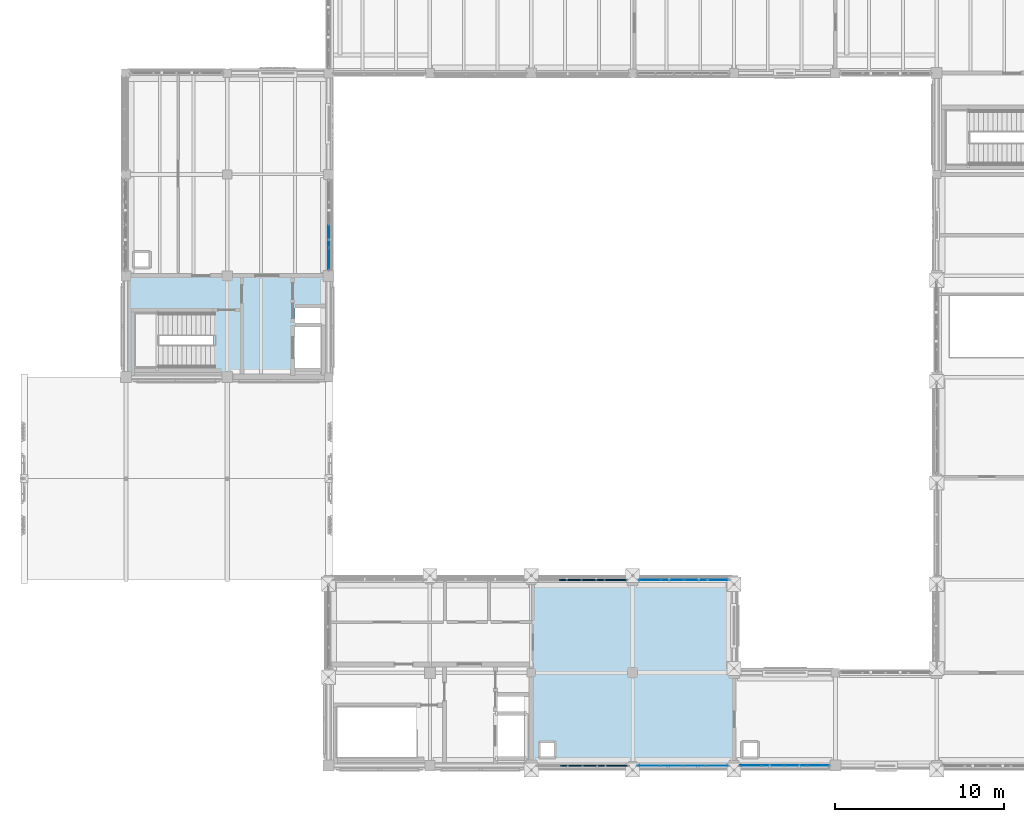
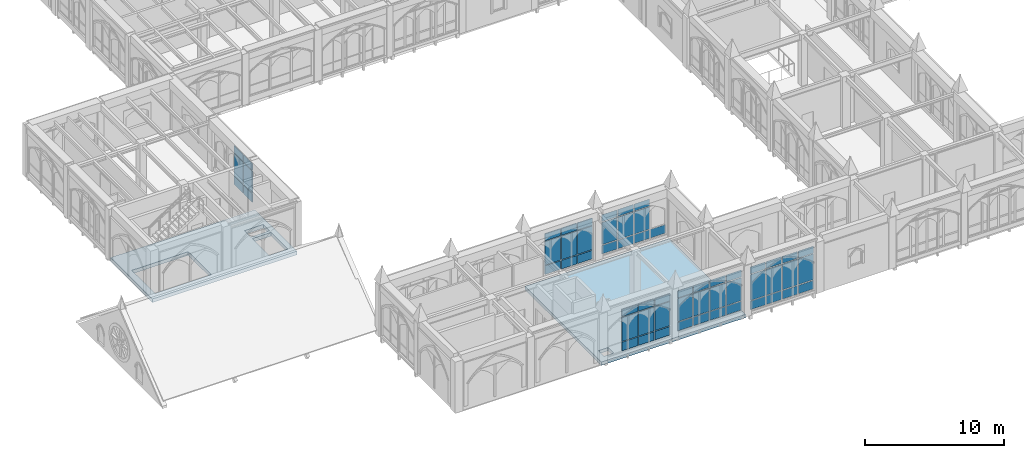
# One storey, part 85 of 143: 58 plates, 2 slabs, 6 elements without a shape of their own.
"""IFC4 building model written with IfcOpenShell, lengths in metres."""

from ifc_helpers import new_model, si_unit, direction, frame, origin, origin_2d, place, context, subcontext, project, spatial, polyline, rectangle, outline, extrude, material, layer, layer_set, type_object, element, aggregate, save


model = new_model("IFC4")

# Units and contexts
model_context = context("Model", 3, precision=1e-05, world=origin(), true_north=direction((0.0, 1.0)))
body_context = subcontext(model_context, "Body", "Model", "MODEL_VIEW")
ifc_project = project(units=[si_unit("LENGTHUNIT", "METRE"), si_unit("AREAUNIT", "SQUARE_METRE"), si_unit("VOLUMEUNIT", "CUBIC_METRE"), si_unit("PLANEANGLEUNIT", "RADIAN"), si_unit("MASSUNIT", "GRAM", prefix="KILO")], contexts=[model_context])

# Site, building, storey
site_placement = place(None, origin())
site = spatial("IfcSite", under=ifc_project, at=site_placement, CompositionType="ELEMENT")
building_placement = place(site_placement, origin())
building = spatial("IfcBuilding", under=site, at=building_placement, Name="Cumevento Cable Car Station", CompositionType="ELEMENT")
storey_placement = place(building_placement, frame((0.0, 0.0, 9.0)))
storey = spatial("IfcBuildingStorey", under=building, at=storey_placement, Name="L03", CompositionType="ELEMENT", Elevation=9.0)

# Slabs
ifc_material_1 = material(Name="Concrete C40/50", Category="concrete")
ifc_layer_1 = layer(ifc_material_1, 0.283935546875)
ifc_layer_set_1 = layer_set([ifc_layer_1], Name="Concrete C40/50")
slab_type_1 = type_object("IfcSlabType", Name="Concrete Deck FS-284 284", PredefinedType="FLOOR", material=ifc_layer_set_1)
slab_1_placement = place(storey_placement, frame((0.0, 0.0, -0.283935546875)))
element("IfcSlab", 1, at=slab_1_placement, inside=storey, type_object=slab_type_1, Name="Floor Slab FS-284 L03 B_V1a.2", PredefinedType="FLOOR", context=body_context, shape_type="SweptSolid", body=[
    extrude(outline(polyline([(34.0, 4.0), (46.0, 4.0), (46.0, 15.0), (34.0, 15.0), (34.0, 4.0)]), holes=[polyline([(34.550048828125, 4.550048828125), (35.35009765625, 4.550048828125), (35.35009765625, 5.35009765625), (34.550048828125, 5.35009765625), (34.550048828125, 4.550048828125)])]), origin(), (0.0, 0.0, 1.0), 0.283935546875),
])
ifc_material_2 = material(Name="Concrete C40/50", Category="concrete")
ifc_layer_2 = layer(ifc_material_2, 0.31494140625)
ifc_layer_set_2 = layer_set([ifc_layer_2], Name="Concrete C40/50")
slab_type_2 = type_object("IfcSlabType", Name="Concrete Deck FS-315 315", PredefinedType="FLOOR", material=ifc_layer_set_2)
slab_2_placement = place(storey_placement, frame((0.0, 0.0, -0.31494140625)))
element("IfcSlab", 2, at=slab_2_placement, inside=storey, type_object=slab_type_2, Name="Floor Slab FS-315 L03 B_V6b_core.1", PredefinedType="FLOOR", context=body_context, shape_type="SweptSolid", body=[
    extrude(outline(polyline([(10.0, 27.0), (22.0, 27.0), (22.0, 33.0), (10.0, 33.0), (10.0, 27.0)]), holes=[polyline([(20.010009765625, 27.5400390625), (21.580078125, 27.5400390625), (21.580078125, 29.9599609375), (20.010009765625, 29.9599609375), (20.010009765625, 27.5400390625)]), polyline([(10.52001953125, 27.52001953125), (15.199951171875, 27.52001953125), (15.199951171875, 30.85009765625), (10.52001953125, 30.85009765625), (10.52001953125, 27.52001953125)]), polyline([(20.010009765625, 30.199951171875), (21.580078125, 30.199951171875), (21.580078125, 31.10009765625), (20.010009765625, 31.10009765625), (20.010009765625, 30.199951171875)])]), origin(), (0.0, 0.0, 1.0), 0.31494140625),
])

# Curtain wall, plates
ifc_material_3 = material(Name="Anodised Bronze Aluminium AW-6063-T6", Category="aluminium")
ifc_layer_3 = layer(ifc_material_3, 0.196044921875)
ifc_layer_set_3 = layer_set([ifc_layer_3], Name="Anodised Bronze Aluminium AW-6063-T6")
curtain_wall_type_1 = type_object("IfcCurtainWallType", Name="Lancet Curtain Wall CW-07 1290", PredefinedType="NOTDEFINED", material=ifc_layer_set_3)
curtain_wall_1_placement = place(storey_placement, origin())
curtain_wall_1 = element("IfcCurtainWall", 3, at=curtain_wall_1_placement, inside=storey, type_object=curtain_wall_type_1, Name="Lancet Curtain Wall CW-07 L03 #70", PredefinedType="NOTDEFINED")
ifc_material_4 = material(Name="Solar Control Laminated Double Glazing", Category="glass")
ifc_layer_4 = layer(ifc_material_4, 0.02197265625)
ifc_layer_set_4 = layer_set([ifc_layer_4], Name="Solar Control Laminated Double Glazing")
plate_type_1 = type_object("IfcPlateType", Name="Glazed Panel CWP-01 22", PredefinedType="CURTAIN_PANEL", material=ifc_layer_set_4)
plate_1_placement = place(storey_placement, frame((45.00244140625, 4.0, 0.525146484375), z_axis=(0.0, 0.0, 1.0), x_axis=(-1.0, 0.0, 0.0)))
plate_1 = element("IfcPlate", 4, at=plate_1_placement, type_object=plate_type_1, Name="CW-07 panel 1.1", PredefinedType="CURTAIN_PANEL", context=body_context, shape_type="SweptSolid", body=[
    extrude(rectangle(XDim=1.264892578125, YDim=0.02197265625, at=origin_2d()), origin(), (0.0, 0.0, 1.0), 0.75244140625),
])
plate_2_placement = place(storey_placement, frame((45.00244140625, 4.0, 1.342529296875), z_axis=(0.0, 0.0, 1.0), x_axis=(-1.0, 0.0, 0.0)))
plate_2 = element("IfcPlate", 5, at=plate_2_placement, type_object=plate_type_1, Name="CW-07 panel 1.2", PredefinedType="CURTAIN_PANEL", context=body_context, shape_type="SweptSolid", body=[
    extrude(rectangle(XDim=1.264892578125, YDim=0.02197265625, at=origin_2d()), origin(), (0.0, 0.0, 1.0), 2.01806640625),
])
plate_3_placement = place(storey_placement, frame((45.00244140625, 4.0, 3.425537109375), z_axis=(0.0, 0.0, 1.0), x_axis=(-1.0, 0.0, 0.0)))
plate_3 = element("IfcPlate", 6, at=plate_3_placement, type_object=plate_type_1, Name="CW-07 panel 1.3", PredefinedType="CURTAIN_PANEL", context=body_context, shape_type="SweptSolid", body=[
    extrude(rectangle(XDim=1.264892578125, YDim=0.02197265625, at=origin_2d()), origin(), (0.0, 0.0, 1.0), 0.6025390625),
])
plate_4_placement = place(storey_placement, frame((43.65625, 4.0, 0.525146484375), z_axis=(0.0, 0.0, 1.0), x_axis=(-1.0, 0.0, 0.0)))
plate_4 = element("IfcPlate", 7, at=plate_4_placement, type_object=plate_type_1, Name="CW-07 panel 2.1", PredefinedType="CURTAIN_PANEL", context=body_context, shape_type="SweptSolid", body=[
    extrude(rectangle(XDim=1.297607421875, YDim=0.02197265625, at=origin_2d()), origin(), (0.0, 0.0, 1.0), 0.75244140625),
])
plate_5_placement = place(storey_placement, frame((43.65625, 4.0, 1.342529296875), z_axis=(0.0, 0.0, 1.0), x_axis=(-1.0, 0.0, 0.0)))
plate_5 = element("IfcPlate", 8, at=plate_5_placement, type_object=plate_type_1, Name="CW-07 panel 2.2", PredefinedType="CURTAIN_PANEL", context=body_context, shape_type="SweptSolid", body=[
    extrude(rectangle(XDim=1.297607421875, YDim=0.02197265625, at=origin_2d()), origin(), (0.0, 0.0, 1.0), 2.01806640625),
])
plate_6_placement = place(storey_placement, frame((43.65625, 4.0, 3.425537109375), z_axis=(0.0, 0.0, 1.0), x_axis=(-1.0, 0.0, 0.0)))
plate_6 = element("IfcPlate", 9, at=plate_6_placement, type_object=plate_type_1, Name="CW-07 panel 2.3", PredefinedType="CURTAIN_PANEL", context=body_context, shape_type="SweptSolid", body=[
    extrude(rectangle(XDim=1.297607421875, YDim=0.02197265625, at=origin_2d()), origin(), (0.0, 0.0, 1.0), 0.6025390625),
])
plate_7_placement = place(storey_placement, frame((42.293701171875, 4.0, 0.525146484375), z_axis=(0.0, 0.0, 1.0), x_axis=(-1.0, 0.0, 0.0)))
plate_7 = element("IfcPlate", 10, at=plate_7_placement, type_object=plate_type_1, Name="CW-07 panel 3.1", PredefinedType="CURTAIN_PANEL", context=body_context, shape_type="SweptSolid", body=[
    extrude(rectangle(XDim=1.297607421875, YDim=0.02197265625, at=origin_2d()), origin(), (0.0, 0.0, 1.0), 0.75244140625),
])
plate_8_placement = place(storey_placement, frame((42.293701171875, 4.0, 1.342529296875), z_axis=(0.0, 0.0, 1.0), x_axis=(-1.0, 0.0, 0.0)))
plate_8 = element("IfcPlate", 11, at=plate_8_placement, type_object=plate_type_1, Name="CW-07 panel 3.2", PredefinedType="CURTAIN_PANEL", context=body_context, shape_type="SweptSolid", body=[
    extrude(rectangle(XDim=1.297607421875, YDim=0.02197265625, at=origin_2d()), origin(), (0.0, 0.0, 1.0), 2.01806640625),
])
plate_9_placement = place(storey_placement, frame((42.293701171875, 4.0, 3.425537109375), z_axis=(0.0, 0.0, 1.0), x_axis=(-1.0, 0.0, 0.0)))
plate_9 = element("IfcPlate", 12, at=plate_9_placement, type_object=plate_type_1, Name="CW-07 panel 3.3", PredefinedType="CURTAIN_PANEL", context=body_context, shape_type="SweptSolid", body=[
    extrude(rectangle(XDim=1.297607421875, YDim=0.02197265625, at=origin_2d()), origin(), (0.0, 0.0, 1.0), 0.6025390625),
])
plate_10_placement = place(storey_placement, frame((40.947509765625, 4.0, 0.525146484375), z_axis=(0.0, 0.0, 1.0), x_axis=(-1.0, 0.0, 0.0)))
plate_10 = element("IfcPlate", 13, at=plate_10_placement, type_object=plate_type_1, Name="CW-07 panel 4.1", PredefinedType="CURTAIN_PANEL", context=body_context, shape_type="SweptSolid", body=[
    extrude(rectangle(XDim=1.264892578125, YDim=0.02197265625, at=origin_2d()), origin(), (0.0, 0.0, 1.0), 0.75244140625),
])
plate_11_placement = place(storey_placement, frame((40.947509765625, 4.0, 1.342529296875), z_axis=(0.0, 0.0, 1.0), x_axis=(-1.0, 0.0, 0.0)))
plate_11 = element("IfcPlate", 14, at=plate_11_placement, type_object=plate_type_1, Name="CW-07 panel 4.2", PredefinedType="CURTAIN_PANEL", context=body_context, shape_type="SweptSolid", body=[
    extrude(rectangle(XDim=1.264892578125, YDim=0.02197265625, at=origin_2d()), origin(), (0.0, 0.0, 1.0), 2.01806640625),
])
plate_12_placement = place(storey_placement, frame((40.947509765625, 4.0, 3.425537109375), z_axis=(0.0, 0.0, 1.0), x_axis=(-1.0, 0.0, 0.0)))
plate_12 = element("IfcPlate", 15, at=plate_12_placement, type_object=plate_type_1, Name="CW-07 panel 4.3", PredefinedType="CURTAIN_PANEL", context=body_context, shape_type="SweptSolid", body=[
    extrude(rectangle(XDim=1.264892578125, YDim=0.02197265625, at=origin_2d()), origin(), (0.0, 0.0, 1.0), 0.6025390625),
])
aggregate(curtain_wall_1, [plate_1, plate_2, plate_3, plate_4, plate_5, plate_6, plate_7, plate_8, plate_9, plate_10, plate_11, plate_12])

ifc_material_5 = material(Name="Anodised Bronze Aluminium AW-6063-T6", Category="aluminium")
ifc_layer_5 = layer(ifc_material_5, 0.201904296875)
ifc_layer_set_5 = layer_set([ifc_layer_5], Name="Anodised Bronze Aluminium AW-6063-T6")
curtain_wall_type_2 = type_object("IfcCurtainWallType", Name="Lancet Curtain Wall CW-08 1330", PredefinedType="NOTDEFINED", material=ifc_layer_set_5)
curtain_wall_2_placement = place(storey_placement, origin())
curtain_wall_2 = element("IfcCurtainWall", 16, at=curtain_wall_2_placement, inside=storey, type_object=curtain_wall_type_2, Name="Lancet Curtain Wall CW-08 L03 #71", PredefinedType="NOTDEFINED")
ifc_material_6 = material(Name="Solar Control Laminated Double Glazing", Category="glass")
ifc_layer_6 = layer(ifc_material_6, 0.02587890625)
ifc_layer_set_6 = layer_set([ifc_layer_6], Name="Solar Control Laminated Double Glazing")
plate_type_2 = type_object("IfcPlateType", Name="Glazed Panel CWP-02 26", PredefinedType="CURTAIN_PANEL", material=ifc_layer_set_6)
plate_13_placement = place(storey_placement, frame((41.019287109375, 15.0, 0.5849609375), z_axis=(0.0, 0.0, 1.0), x_axis=(1.0, 0.0, 0.0)))
plate_13 = element("IfcPlate", 17, at=plate_13_placement, type_object=plate_type_2, Name="CW-08 panel 1.1", PredefinedType="CURTAIN_PANEL", context=body_context, shape_type="SweptSolid", body=[
    extrude(rectangle(XDim=1.2587890625, YDim=0.02587890625, at=origin_2d()), origin(), (0.0, 0.0, 1.0), 0.75244140625),
])
plate_14_placement = place(storey_placement, frame((41.019287109375, 15.0, 1.402587890625), z_axis=(0.0, 0.0, 1.0), x_axis=(1.0, 0.0, 0.0)))
plate_14 = element("IfcPlate", 18, at=plate_14_placement, type_object=plate_type_2, Name="CW-08 panel 1.2", PredefinedType="CURTAIN_PANEL", context=body_context, shape_type="SweptSolid", body=[
    extrude(rectangle(XDim=1.2587890625, YDim=0.02587890625, at=origin_2d()), origin(), (0.0, 0.0, 1.0), 1.9580078125),
])
plate_15_placement = place(storey_placement, frame((41.019287109375, 15.0, 3.425537109375), z_axis=(0.0, 0.0, 1.0), x_axis=(1.0, 0.0, 0.0)))
plate_15 = element("IfcPlate", 19, at=plate_15_placement, type_object=plate_type_2, Name="CW-08 panel 1.3", PredefinedType="CURTAIN_PANEL", context=body_context, shape_type="SweptSolid", body=[
    extrude(rectangle(XDim=1.2587890625, YDim=0.02587890625, at=origin_2d()), origin(), (0.0, 0.0, 1.0), 0.6025390625),
])
plate_16_placement = place(storey_placement, frame((42.359375, 15.0, 0.5849609375), z_axis=(0.0, 0.0, 1.0), x_axis=(1.0, 0.0, 0.0)))
plate_16 = element("IfcPlate", 20, at=plate_16_placement, type_object=plate_type_2, Name="CW-08 panel 2.1", PredefinedType="CURTAIN_PANEL", context=body_context, shape_type="SweptSolid", body=[
    extrude(rectangle(XDim=1.291259765625, YDim=0.02587890625, at=origin_2d()), origin(), (0.0, 0.0, 1.0), 0.75244140625),
])
plate_17_placement = place(storey_placement, frame((42.359375, 15.0, 1.402587890625), z_axis=(0.0, 0.0, 1.0), x_axis=(1.0, 0.0, 0.0)))
plate_17 = element("IfcPlate", 21, at=plate_17_placement, type_object=plate_type_2, Name="CW-08 panel 2.2", PredefinedType="CURTAIN_PANEL", context=body_context, shape_type="SweptSolid", body=[
    extrude(rectangle(XDim=1.291259765625, YDim=0.02587890625, at=origin_2d()), origin(), (0.0, 0.0, 1.0), 1.9580078125),
])
plate_18_placement = place(storey_placement, frame((42.359375, 15.0, 3.425537109375), z_axis=(0.0, 0.0, 1.0), x_axis=(1.0, 0.0, 0.0)))
plate_18 = element("IfcPlate", 22, at=plate_18_placement, type_object=plate_type_2, Name="CW-08 panel 2.3", PredefinedType="CURTAIN_PANEL", context=body_context, shape_type="SweptSolid", body=[
    extrude(rectangle(XDim=1.291259765625, YDim=0.02587890625, at=origin_2d()), origin(), (0.0, 0.0, 1.0), 0.6025390625),
])
plate_19_placement = place(storey_placement, frame((43.715576171875, 15.0, 0.5849609375), z_axis=(0.0, 0.0, 1.0), x_axis=(1.0, 0.0, 0.0)))
plate_19 = element("IfcPlate", 23, at=plate_19_placement, type_object=plate_type_2, Name="CW-08 panel 3.1", PredefinedType="CURTAIN_PANEL", context=body_context, shape_type="SweptSolid", body=[
    extrude(rectangle(XDim=1.291259765625, YDim=0.02587890625, at=origin_2d()), origin(), (0.0, 0.0, 1.0), 0.75244140625),
])
plate_20_placement = place(storey_placement, frame((43.715576171875, 15.0, 1.402587890625), z_axis=(0.0, 0.0, 1.0), x_axis=(1.0, 0.0, 0.0)))
plate_20 = element("IfcPlate", 24, at=plate_20_placement, type_object=plate_type_2, Name="CW-08 panel 3.2", PredefinedType="CURTAIN_PANEL", context=body_context, shape_type="SweptSolid", body=[
    extrude(rectangle(XDim=1.291259765625, YDim=0.02587890625, at=origin_2d()), origin(), (0.0, 0.0, 1.0), 1.9580078125),
])
plate_21_placement = place(storey_placement, frame((43.715576171875, 15.0, 3.425537109375), z_axis=(0.0, 0.0, 1.0), x_axis=(1.0, 0.0, 0.0)))
plate_21 = element("IfcPlate", 25, at=plate_21_placement, type_object=plate_type_2, Name="CW-08 panel 3.3", PredefinedType="CURTAIN_PANEL", context=body_context, shape_type="SweptSolid", body=[
    extrude(rectangle(XDim=1.291259765625, YDim=0.02587890625, at=origin_2d()), origin(), (0.0, 0.0, 1.0), 0.6025390625),
])
plate_22_placement = place(storey_placement, frame((45.0556640625, 15.0, 0.5849609375), z_axis=(0.0, 0.0, 1.0), x_axis=(1.0, 0.0, 0.0)))
plate_22 = element("IfcPlate", 26, at=plate_22_placement, type_object=plate_type_2, Name="CW-08 panel 4.1", PredefinedType="CURTAIN_PANEL", context=body_context, shape_type="SweptSolid", body=[
    extrude(rectangle(XDim=1.2587890625, YDim=0.02587890625, at=origin_2d()), origin(), (0.0, 0.0, 1.0), 0.75244140625),
])
aggregate(curtain_wall_2, [plate_13, plate_14, plate_15, plate_16, plate_17, plate_18, plate_19, plate_20, plate_21, plate_22])

ifc_material_7 = material(Name="Anodised Bronze Aluminium AW-6063-T6", Category="aluminium")
ifc_layer_7 = layer(ifc_material_7, 0.214111328125)
ifc_layer_set_7 = layer_set([ifc_layer_7], Name="Anodised Bronze Aluminium AW-6063-T6")
curtain_wall_type_3 = type_object("IfcCurtainWallType", Name="Lancet Curtain Wall CW-10 1410", PredefinedType="NOTDEFINED", material=ifc_layer_set_7)
curtain_wall_3_placement = place(storey_placement, origin())
curtain_wall_3 = element("IfcCurtainWall", 27, at=curtain_wall_3_placement, inside=storey, type_object=curtain_wall_type_3, Name="Lancet Curtain Wall CW-10 L03 #73", PredefinedType="NOTDEFINED")
ifc_material_8 = material(Name="Solar Control Laminated Double Glazing", Category="glass")
ifc_layer_8 = layer(ifc_material_8, 0.033935546875)
ifc_layer_set_8 = layer_set([ifc_layer_8], Name="Solar Control Laminated Double Glazing")
plate_type_3 = type_object("IfcPlateType", Name="Glazed Panel CWP-04 34", PredefinedType="CURTAIN_PANEL", material=ifc_layer_set_8)
plate_23_placement = place(storey_placement, frame((50.98681640625, 4.0, 0.275146484375), z_axis=(0.0, 0.0, 1.0), x_axis=(-1.0, 0.0, 0.0)))
plate_23 = element("IfcPlate", 28, at=plate_23_placement, type_object=plate_type_3, Name="CW-10 panel 1.1", PredefinedType="CURTAIN_PANEL", context=body_context, shape_type="SweptSolid", body=[
    extrude(rectangle(XDim=1.246337890625, YDim=0.033935546875, at=origin_2d()), origin(), (0.0, 0.0, 1.0), 0.75244140625),
])
plate_24_placement = place(storey_placement, frame((50.98681640625, 4.0, 1.092529296875), z_axis=(0.0, 0.0, 1.0), x_axis=(-1.0, 0.0, 0.0)))
plate_24 = element("IfcPlate", 29, at=plate_24_placement, type_object=plate_type_3, Name="CW-10 panel 1.2", PredefinedType="CURTAIN_PANEL", context=body_context, shape_type="SweptSolid", body=[
    extrude(rectangle(XDim=1.246337890625, YDim=0.033935546875, at=origin_2d()), origin(), (0.0, 0.0, 1.0), 2.26806640625),
])
plate_25_placement = place(storey_placement, frame((50.98681640625, 4.0, 3.425537109375), z_axis=(0.0, 0.0, 1.0), x_axis=(-1.0, 0.0, 0.0)))
plate_25 = element("IfcPlate", 30, at=plate_25_placement, type_object=plate_type_3, Name="CW-10 panel 1.3", PredefinedType="CURTAIN_PANEL", context=body_context, shape_type="SweptSolid", body=[
    extrude(rectangle(XDim=1.246337890625, YDim=0.033935546875, at=origin_2d()), origin(), (0.0, 0.0, 1.0), 0.6025390625),
])
plate_26_placement = place(storey_placement, frame((49.659423828125, 4.0, 0.275146484375), z_axis=(0.0, 0.0, 1.0), x_axis=(-1.0, 0.0, 0.0)))
plate_26 = element("IfcPlate", 31, at=plate_26_placement, type_object=plate_type_3, Name="CW-10 panel 2.1", PredefinedType="CURTAIN_PANEL", context=body_context, shape_type="SweptSolid", body=[
    extrude(rectangle(XDim=1.27880859375, YDim=0.033935546875, at=origin_2d()), origin(), (0.0, 0.0, 1.0), 0.75244140625),
])
plate_27_placement = place(storey_placement, frame((49.659423828125, 4.0, 1.092529296875), z_axis=(0.0, 0.0, 1.0), x_axis=(-1.0, 0.0, 0.0)))
plate_27 = element("IfcPlate", 32, at=plate_27_placement, type_object=plate_type_3, Name="CW-10 panel 2.2", PredefinedType="CURTAIN_PANEL", context=body_context, shape_type="SweptSolid", body=[
    extrude(rectangle(XDim=1.27880859375, YDim=0.033935546875, at=origin_2d()), origin(), (0.0, 0.0, 1.0), 2.26806640625),
])
plate_28_placement = place(storey_placement, frame((49.659423828125, 4.0, 3.425537109375), z_axis=(0.0, 0.0, 1.0), x_axis=(-1.0, 0.0, 0.0)))
plate_28 = element("IfcPlate", 33, at=plate_28_placement, type_object=plate_type_3, Name="CW-10 panel 2.3", PredefinedType="CURTAIN_PANEL", context=body_context, shape_type="SweptSolid", body=[
    extrude(rectangle(XDim=1.27880859375, YDim=0.033935546875, at=origin_2d()), origin(), (0.0, 0.0, 1.0), 0.6025390625),
])
plate_29_placement = place(storey_placement, frame((48.315673828125, 4.0, 0.275146484375), z_axis=(0.0, 0.0, 1.0), x_axis=(-1.0, 0.0, 0.0)))
plate_29 = element("IfcPlate", 34, at=plate_29_placement, type_object=plate_type_3, Name="CW-10 panel 3.1", PredefinedType="CURTAIN_PANEL", context=body_context, shape_type="SweptSolid", body=[
    extrude(rectangle(XDim=1.27880859375, YDim=0.033935546875, at=origin_2d()), origin(), (0.0, 0.0, 1.0), 0.75244140625),
])
plate_30_placement = place(storey_placement, frame((48.315673828125, 4.0, 1.092529296875), z_axis=(0.0, 0.0, 1.0), x_axis=(-1.0, 0.0, 0.0)))
plate_30 = element("IfcPlate", 35, at=plate_30_placement, type_object=plate_type_3, Name="CW-10 panel 3.2", PredefinedType="CURTAIN_PANEL", context=body_context, shape_type="SweptSolid", body=[
    extrude(rectangle(XDim=1.27880859375, YDim=0.033935546875, at=origin_2d()), origin(), (0.0, 0.0, 1.0), 2.26806640625),
])
plate_31_placement = place(storey_placement, frame((48.315673828125, 4.0, 3.425537109375), z_axis=(0.0, 0.0, 1.0), x_axis=(-1.0, 0.0, 0.0)))
plate_31 = element("IfcPlate", 36, at=plate_31_placement, type_object=plate_type_3, Name="CW-10 panel 3.3", PredefinedType="CURTAIN_PANEL", context=body_context, shape_type="SweptSolid", body=[
    extrude(rectangle(XDim=1.27880859375, YDim=0.033935546875, at=origin_2d()), origin(), (0.0, 0.0, 1.0), 0.6025390625),
])
plate_32_placement = place(storey_placement, frame((46.988037109375, 4.0, 0.275146484375), z_axis=(0.0, 0.0, 1.0), x_axis=(-1.0, 0.0, 0.0)))
plate_32 = element("IfcPlate", 37, at=plate_32_placement, type_object=plate_type_3, Name="CW-10 panel 4.1", PredefinedType="CURTAIN_PANEL", context=body_context, shape_type="SweptSolid", body=[
    extrude(rectangle(XDim=1.246337890625, YDim=0.033935546875, at=origin_2d()), origin(), (0.0, 0.0, 1.0), 0.75244140625),
])
plate_33_placement = place(storey_placement, frame((46.988037109375, 4.0, 1.092529296875), z_axis=(0.0, 0.0, 1.0), x_axis=(-1.0, 0.0, 0.0)))
plate_33 = element("IfcPlate", 38, at=plate_33_placement, type_object=plate_type_3, Name="CW-10 panel 4.2", PredefinedType="CURTAIN_PANEL", context=body_context, shape_type="SweptSolid", body=[
    extrude(rectangle(XDim=1.246337890625, YDim=0.033935546875, at=origin_2d()), origin(), (0.0, 0.0, 1.0), 2.26806640625),
])
plate_34_placement = place(storey_placement, frame((46.988037109375, 4.0, 3.425537109375), z_axis=(0.0, 0.0, 1.0), x_axis=(-1.0, 0.0, 0.0)))
plate_34 = element("IfcPlate", 39, at=plate_34_placement, type_object=plate_type_3, Name="CW-10 panel 4.3", PredefinedType="CURTAIN_PANEL", context=body_context, shape_type="SweptSolid", body=[
    extrude(rectangle(XDim=1.246337890625, YDim=0.033935546875, at=origin_2d()), origin(), (0.0, 0.0, 1.0), 0.6025390625),
])
aggregate(curtain_wall_3, [plate_23, plate_24, plate_25, plate_26, plate_27, plate_28, plate_29, plate_30, plate_31, plate_32, plate_33, plate_34])

ifc_material_9 = material(Name="Anodised Bronze Aluminium AW-6063-T6", Category="aluminium")
ifc_layer_9 = layer(ifc_material_9, 0.23193359375)
ifc_layer_set_9 = layer_set([ifc_layer_9], Name="Anodised Bronze Aluminium AW-6063-T6")
curtain_wall_type_4 = type_object("IfcCurtainWallType", Name="Lancet Curtain Wall CW-13 1530", PredefinedType="NOTDEFINED", material=ifc_layer_set_9)
curtain_wall_4_placement = place(storey_placement, origin())
curtain_wall_4 = element("IfcCurtainWall", 40, at=curtain_wall_4_placement, inside=storey, type_object=curtain_wall_type_4, Name="Lancet Curtain Wall CW-13 L03 #92", PredefinedType="NOTDEFINED")
ifc_material_10 = material(Name="Insulated Bronze Aluminium Spandrel Panel", Category="aluminium")
ifc_layer_10 = layer(ifc_material_10, 0.054931640625)
ifc_layer_set_10 = layer_set([ifc_layer_10], Name="Insulated Bronze Aluminium Spandrel Panel")
plate_type_4 = type_object("IfcPlateType", Name="Spandrel Panel CWP-09 55", PredefinedType="CURTAIN_PANEL", material=ifc_layer_set_10)
plate_35_placement = place(storey_placement, frame((22.0, 35.340576171875, 0.425048828125), z_axis=(0.0, 0.0, 1.0), x_axis=(0.0, -1.0, 0.0)))
plate_35 = element("IfcPlate", 41, at=plate_35_placement, type_object=plate_type_4, Name="CW-13 panel 3.1", PredefinedType="CURTAIN_PANEL", context=body_context, shape_type="SweptSolid", body=[
    extrude(rectangle(XDim=1.27880859375, YDim=0.054931640625, at=origin_2d()), origin(), (0.0, 0.0, 1.0), 0.75244140625),
])
plate_36_placement = place(storey_placement, frame((22.0, 35.340576171875, 1.242431640625), z_axis=(0.0, 0.0, 1.0), x_axis=(0.0, -1.0, 0.0)))
plate_36 = element("IfcPlate", 42, at=plate_36_placement, type_object=plate_type_4, Name="CW-13 panel 3.2", PredefinedType="CURTAIN_PANEL", context=body_context, shape_type="SweptSolid", body=[
    extrude(rectangle(XDim=1.27880859375, YDim=0.054931640625, at=origin_2d()), origin(), (0.0, 0.0, 1.0), 1.91796875),
])
plate_37_placement = place(storey_placement, frame((22.0, 35.340576171875, 3.2255859375), z_axis=(0.0, 0.0, 1.0), x_axis=(0.0, -1.0, 0.0)))
plate_37 = element("IfcPlate", 43, at=plate_37_placement, type_object=plate_type_4, Name="CW-13 panel 3.3", PredefinedType="CURTAIN_PANEL", context=body_context, shape_type="SweptSolid", body=[
    extrude(rectangle(XDim=1.27880859375, YDim=0.054931640625, at=origin_2d()), origin(), (0.0, 0.0, 1.0), 0.6025390625),
])
plate_38_placement = place(storey_placement, frame((22.0, 34.01318359375, 0.425048828125), z_axis=(0.0, 0.0, 1.0), x_axis=(0.0, -1.0, 0.0)))
plate_38 = element("IfcPlate", 44, at=plate_38_placement, type_object=plate_type_4, Name="CW-13 panel 4.1", PredefinedType="CURTAIN_PANEL", context=body_context, shape_type="SweptSolid", body=[
    extrude(rectangle(XDim=1.246337890625, YDim=0.054931640625, at=origin_2d()), origin(), (0.0, 0.0, 1.0), 0.75244140625),
])
plate_39_placement = place(storey_placement, frame((22.0, 34.01318359375, 1.242431640625), z_axis=(0.0, 0.0, 1.0), x_axis=(0.0, -1.0, 0.0)))
plate_39 = element("IfcPlate", 45, at=plate_39_placement, type_object=plate_type_4, Name="CW-13 panel 4.2", PredefinedType="CURTAIN_PANEL", context=body_context, shape_type="SweptSolid", body=[
    extrude(rectangle(XDim=1.246337890625, YDim=0.054931640625, at=origin_2d()), origin(), (0.0, 0.0, 1.0), 1.91796875),
])
plate_40_placement = place(storey_placement, frame((22.0, 34.01318359375, 3.2255859375), z_axis=(0.0, 0.0, 1.0), x_axis=(0.0, -1.0, 0.0)))
plate_40 = element("IfcPlate", 46, at=plate_40_placement, type_object=plate_type_4, Name="CW-13 panel 4.3", PredefinedType="CURTAIN_PANEL", context=body_context, shape_type="SweptSolid", body=[
    extrude(rectangle(XDim=1.246337890625, YDim=0.054931640625, at=origin_2d()), origin(), (0.0, 0.0, 1.0), 0.6025390625),
])
aggregate(curtain_wall_4, [plate_35, plate_36, plate_37, plate_38, plate_39, plate_40])

ifc_material_11 = material(Name="Anodised Bronze Aluminium AW-6063-T6", Category="aluminium")
ifc_layer_11 = layer(ifc_material_11, 0.18408203125)
ifc_layer_set_11 = layer_set([ifc_layer_11], Name="Anodised Bronze Aluminium AW-6063-T6")
curtain_wall_type_5 = type_object("IfcCurtainWallType", Name="Lancet Curtain Wall CW-05 1210", PredefinedType="NOTDEFINED", material=ifc_layer_set_11)
curtain_wall_5_placement = place(storey_placement, origin())
curtain_wall_5 = element("IfcCurtainWall", 47, at=curtain_wall_5_placement, inside=storey, type_object=curtain_wall_type_5, Name="Lancet Curtain Wall CW-05 L03 #68", PredefinedType="NOTDEFINED")
ifc_material_12 = material(Name="Insulated Bronze Aluminium Spandrel Panel", Category="aluminium")
ifc_layer_12 = layer(ifc_material_12, 0.077880859375)
ifc_layer_set_12 = layer_set([ifc_layer_12], Name="Insulated Bronze Aluminium Spandrel Panel")
plate_type_5 = type_object("IfcPlateType", Name="Spandrel Panel CWP-13 78", PredefinedType="CURTAIN_PANEL", material=ifc_layer_set_12)
plate_41_placement = place(storey_placement, frame((39.0556640625, 4.0, 0.425048828125), z_axis=(0.0, 0.0, 1.0), x_axis=(-1.0, 0.0, 0.0)))
plate_41 = element("IfcPlate", 48, at=plate_41_placement, type_object=plate_type_5, Name="CW-05 panel 1.1", PredefinedType="CURTAIN_PANEL", context=body_context, shape_type="SweptSolid", body=[
    extrude(rectangle(XDim=1.2587890625, YDim=0.077880859375, at=origin_2d()), origin(), (0.0, 0.0, 1.0), 0.75244140625),
])
plate_42_placement = place(storey_placement, frame((39.0556640625, 4.0, 1.24267578125), z_axis=(0.0, 0.0, 1.0), x_axis=(-1.0, 0.0, 0.0)))
plate_42 = element("IfcPlate", 49, at=plate_42_placement, type_object=plate_type_5, Name="CW-05 panel 1.2", PredefinedType="CURTAIN_PANEL", context=body_context, shape_type="SweptSolid", body=[
    extrude(rectangle(XDim=1.2587890625, YDim=0.077880859375, at=origin_2d()), origin(), (0.0, 0.0, 1.0), 2.117919921875),
])
plate_43_placement = place(storey_placement, frame((39.0556640625, 4.0, 3.425537109375), z_axis=(0.0, 0.0, 1.0), x_axis=(-1.0, 0.0, 0.0)))
plate_43 = element("IfcPlate", 50, at=plate_43_placement, type_object=plate_type_5, Name="CW-05 panel 1.3", PredefinedType="CURTAIN_PANEL", context=body_context, shape_type="SweptSolid", body=[
    extrude(rectangle(XDim=1.2587890625, YDim=0.077880859375, at=origin_2d()), origin(), (0.0, 0.0, 1.0), 0.6025390625),
])
plate_44_placement = place(storey_placement, frame((37.715576171875, 4.0, 0.425048828125), z_axis=(0.0, 0.0, 1.0), x_axis=(-1.0, 0.0, 0.0)))
plate_44 = element("IfcPlate", 51, at=plate_44_placement, type_object=plate_type_5, Name="CW-05 panel 2.1", PredefinedType="CURTAIN_PANEL", context=body_context, shape_type="SweptSolid", body=[
    extrude(rectangle(XDim=1.291259765625, YDim=0.077880859375, at=origin_2d()), origin(), (0.0, 0.0, 1.0), 0.75244140625),
])
plate_45_placement = place(storey_placement, frame((37.715576171875, 4.0, 1.24267578125), z_axis=(0.0, 0.0, 1.0), x_axis=(-1.0, 0.0, 0.0)))
plate_45 = element("IfcPlate", 52, at=plate_45_placement, type_object=plate_type_5, Name="CW-05 panel 2.2", PredefinedType="CURTAIN_PANEL", context=body_context, shape_type="SweptSolid", body=[
    extrude(rectangle(XDim=1.291259765625, YDim=0.077880859375, at=origin_2d()), origin(), (0.0, 0.0, 1.0), 2.117919921875),
])
plate_46_placement = place(storey_placement, frame((37.715576171875, 4.0, 3.425537109375), z_axis=(0.0, 0.0, 1.0), x_axis=(-1.0, 0.0, 0.0)))
plate_46 = element("IfcPlate", 53, at=plate_46_placement, type_object=plate_type_5, Name="CW-05 panel 2.3", PredefinedType="CURTAIN_PANEL", context=body_context, shape_type="SweptSolid", body=[
    extrude(rectangle(XDim=1.291259765625, YDim=0.077880859375, at=origin_2d()), origin(), (0.0, 0.0, 1.0), 0.6025390625),
])
plate_47_placement = place(storey_placement, frame((36.359375, 4.0, 0.425048828125), z_axis=(0.0, 0.0, 1.0), x_axis=(-1.0, 0.0, 0.0)))
plate_47 = element("IfcPlate", 54, at=plate_47_placement, type_object=plate_type_5, Name="CW-05 panel 3.1", PredefinedType="CURTAIN_PANEL", context=body_context, shape_type="SweptSolid", body=[
    extrude(rectangle(XDim=1.291259765625, YDim=0.077880859375, at=origin_2d()), origin(), (0.0, 0.0, 1.0), 0.75244140625),
])
plate_48_placement = place(storey_placement, frame((36.359375, 4.0, 1.24267578125), z_axis=(0.0, 0.0, 1.0), x_axis=(-1.0, 0.0, 0.0)))
plate_48 = element("IfcPlate", 55, at=plate_48_placement, type_object=plate_type_5, Name="CW-05 panel 3.2", PredefinedType="CURTAIN_PANEL", context=body_context, shape_type="SweptSolid", body=[
    extrude(rectangle(XDim=1.291259765625, YDim=0.077880859375, at=origin_2d()), origin(), (0.0, 0.0, 1.0), 2.117919921875),
])
plate_49_placement = place(storey_placement, frame((36.359375, 4.0, 3.425537109375), z_axis=(0.0, 0.0, 1.0), x_axis=(-1.0, 0.0, 0.0)))
plate_49 = element("IfcPlate", 56, at=plate_49_placement, type_object=plate_type_5, Name="CW-05 panel 3.3", PredefinedType="CURTAIN_PANEL", context=body_context, shape_type="SweptSolid", body=[
    extrude(rectangle(XDim=1.291259765625, YDim=0.077880859375, at=origin_2d()), origin(), (0.0, 0.0, 1.0), 0.6025390625),
])
aggregate(curtain_wall_5, [plate_41, plate_42, plate_43, plate_44, plate_45, plate_46, plate_47, plate_48, plate_49])

ifc_material_13 = material(Name="Anodised Bronze Aluminium AW-6063-T6", Category="aluminium")
ifc_layer_13 = layer(ifc_material_13, 0.18994140625)
ifc_layer_set_13 = layer_set([ifc_layer_13], Name="Anodised Bronze Aluminium AW-6063-T6")
curtain_wall_type_6 = type_object("IfcCurtainWallType", Name="Lancet Curtain Wall CW-06 1250", PredefinedType="NOTDEFINED", material=ifc_layer_set_13)
curtain_wall_6_placement = place(storey_placement, origin())
curtain_wall_6 = element("IfcCurtainWall", 57, at=curtain_wall_6_placement, inside=storey, type_object=curtain_wall_type_6, Name="Lancet Curtain Wall CW-06 L03 #69", PredefinedType="NOTDEFINED")
ifc_material_14 = material(Name="Insulated Bronze Aluminium Spandrel Panel", Category="aluminium")
ifc_layer_14 = layer(ifc_material_14, 0.0849609375)
ifc_layer_set_14 = layer_set([ifc_layer_14], Name="Insulated Bronze Aluminium Spandrel Panel")
plate_type_6 = type_object("IfcPlateType", Name="Spandrel Panel CWP-14 85", PredefinedType="CURTAIN_PANEL", material=ifc_layer_set_14)
plate_50_placement = place(storey_placement, frame((36.300048828125, 15.0, 0.47509765625), z_axis=(0.0, 0.0, 1.0), x_axis=(1.0, 0.0, 0.0)))
plate_50 = element("IfcPlate", 58, at=plate_50_placement, type_object=plate_type_6, Name="CW-06 panel 2.1", PredefinedType="CURTAIN_PANEL", context=body_context, shape_type="SweptSolid", body=[
    extrude(rectangle(XDim=1.284912109375, YDim=0.0849609375, at=origin_2d()), origin(), (0.0, 0.0, 1.0), 0.75244140625),
])
plate_51_placement = place(storey_placement, frame((36.300048828125, 15.0, 1.29248046875), z_axis=(0.0, 0.0, 1.0), x_axis=(1.0, 0.0, 0.0)))
plate_51 = element("IfcPlate", 59, at=plate_51_placement, type_object=plate_type_6, Name="CW-06 panel 2.2", PredefinedType="CURTAIN_PANEL", context=body_context, shape_type="SweptSolid", body=[
    extrude(rectangle(XDim=1.284912109375, YDim=0.0849609375, at=origin_2d()), origin(), (0.0, 0.0, 1.0), 2.068115234375),
])
plate_52_placement = place(storey_placement, frame((36.300048828125, 15.0, 3.425537109375), z_axis=(0.0, 0.0, 1.0), x_axis=(1.0, 0.0, 0.0)))
plate_52 = element("IfcPlate", 60, at=plate_52_placement, type_object=plate_type_6, Name="CW-06 panel 2.3", PredefinedType="CURTAIN_PANEL", context=body_context, shape_type="SweptSolid", body=[
    extrude(rectangle(XDim=1.284912109375, YDim=0.0849609375, at=origin_2d()), origin(), (0.0, 0.0, 1.0), 0.6025390625),
])
plate_53_placement = place(storey_placement, frame((37.64990234375, 15.0, 0.47509765625), z_axis=(0.0, 0.0, 1.0), x_axis=(1.0, 0.0, 0.0)))
plate_53 = element("IfcPlate", 61, at=plate_53_placement, type_object=plate_type_6, Name="CW-06 panel 3.1", PredefinedType="CURTAIN_PANEL", context=body_context, shape_type="SweptSolid", body=[
    extrude(rectangle(XDim=1.284912109375, YDim=0.0849609375, at=origin_2d()), origin(), (0.0, 0.0, 1.0), 0.75244140625),
])
plate_54_placement = place(storey_placement, frame((37.64990234375, 15.0, 1.29248046875), z_axis=(0.0, 0.0, 1.0), x_axis=(1.0, 0.0, 0.0)))
plate_54 = element("IfcPlate", 62, at=plate_54_placement, type_object=plate_type_6, Name="CW-06 panel 3.2", PredefinedType="CURTAIN_PANEL", context=body_context, shape_type="SweptSolid", body=[
    extrude(rectangle(XDim=1.284912109375, YDim=0.0849609375, at=origin_2d()), origin(), (0.0, 0.0, 1.0), 2.068115234375),
])
plate_55_placement = place(storey_placement, frame((37.64990234375, 15.0, 3.425537109375), z_axis=(0.0, 0.0, 1.0), x_axis=(1.0, 0.0, 0.0)))
plate_55 = element("IfcPlate", 63, at=plate_55_placement, type_object=plate_type_6, Name="CW-06 panel 3.3", PredefinedType="CURTAIN_PANEL", context=body_context, shape_type="SweptSolid", body=[
    extrude(rectangle(XDim=1.284912109375, YDim=0.0849609375, at=origin_2d()), origin(), (0.0, 0.0, 1.0), 0.6025390625),
])
plate_56_placement = place(storey_placement, frame((38.983642578125, 15.0, 0.47509765625), z_axis=(0.0, 0.0, 1.0), x_axis=(1.0, 0.0, 0.0)))
plate_56 = element("IfcPlate", 64, at=plate_56_placement, type_object=plate_type_6, Name="CW-06 panel 4.1", PredefinedType="CURTAIN_PANEL", context=body_context, shape_type="SweptSolid", body=[
    extrude(rectangle(XDim=1.25244140625, YDim=0.0849609375, at=origin_2d()), origin(), (0.0, 0.0, 1.0), 0.75244140625),
])
plate_57_placement = place(storey_placement, frame((38.983642578125, 15.0, 1.29248046875), z_axis=(0.0, 0.0, 1.0), x_axis=(1.0, 0.0, 0.0)))
plate_57 = element("IfcPlate", 65, at=plate_57_placement, type_object=plate_type_6, Name="CW-06 panel 4.2", PredefinedType="CURTAIN_PANEL", context=body_context, shape_type="SweptSolid", body=[
    extrude(rectangle(XDim=1.25244140625, YDim=0.0849609375, at=origin_2d()), origin(), (0.0, 0.0, 1.0), 2.068115234375),
])
plate_58_placement = place(storey_placement, frame((38.983642578125, 15.0, 3.425537109375), z_axis=(0.0, 0.0, 1.0), x_axis=(1.0, 0.0, 0.0)))
plate_58 = element("IfcPlate", 66, at=plate_58_placement, type_object=plate_type_6, Name="CW-06 panel 4.3", PredefinedType="CURTAIN_PANEL", context=body_context, shape_type="SweptSolid", body=[
    extrude(rectangle(XDim=1.25244140625, YDim=0.0849609375, at=origin_2d()), origin(), (0.0, 0.0, 1.0), 0.6025390625),
])
aggregate(curtain_wall_6, [plate_50, plate_51, plate_52, plate_53, plate_54, plate_55, plate_56, plate_57, plate_58])

save(model, "model.ifc")
